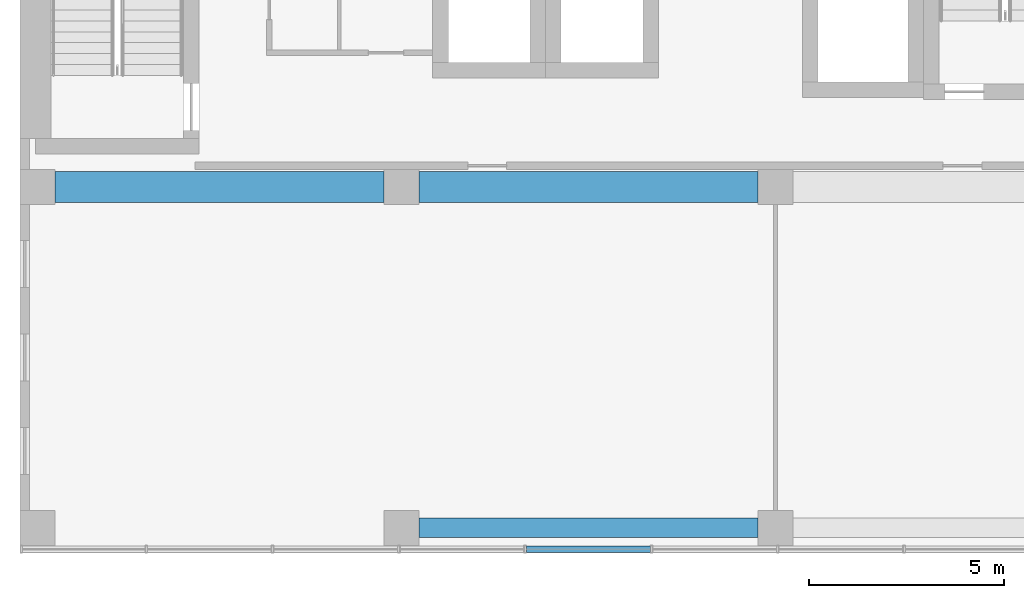
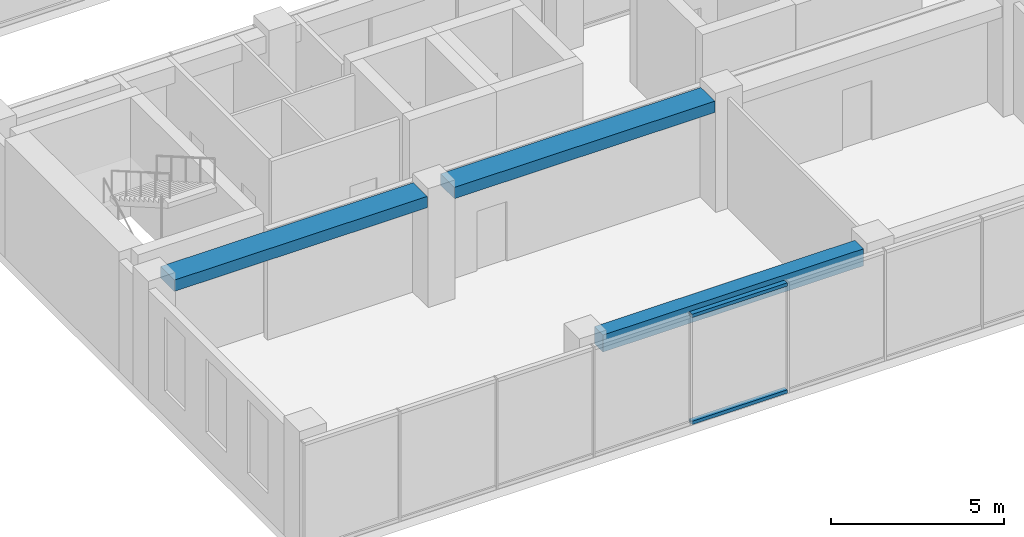
# One storey, part 3 of 38: 3 beams, 2 members, 1 element without a shape of its own.
"""IFC4 building model written with IfcOpenShell, lengths in metres."""

from ifc_helpers import new_model, si_unit, direction, frame, origin, origin_2d, place, context, subcontext, project, spatial, rectangle, hollow_rectangle, extrude, material, layer, layer_set, material_profile, profile_set, type_object, element, aggregate, save


model = new_model("IFC4")

# Units and contexts
model_context = context("Model", 3, precision=1e-05, world=origin(), true_north=direction((0.0, 1.0)))
body_context = subcontext(model_context, "Body", "Model", "MODEL_VIEW")
ifc_project = project(units=[si_unit("LENGTHUNIT", "METRE"), si_unit("AREAUNIT", "SQUARE_METRE"), si_unit("VOLUMEUNIT", "CUBIC_METRE"), si_unit("PLANEANGLEUNIT", "RADIAN"), si_unit("MASSUNIT", "GRAM", prefix="KILO")], contexts=[model_context])

# Site, building, storey
site_placement = place(None, origin())
site = spatial("IfcSite", under=ifc_project, at=site_placement, CompositionType="ELEMENT")
building_placement = place(site_placement, origin())
building = spatial("IfcBuilding", under=site, at=building_placement, Name="Nzadi Deep Aquarium and Research Tower", CompositionType="ELEMENT")
storey_placement = place(building_placement, frame((0.0, 0.0, 48.699951171875)))
storey = spatial("IfcBuildingStorey", under=building, at=storey_placement, Name="L09", CompositionType="ELEMENT", Elevation=48.699951171875)

# Beams
ifc_material_1 = material(Name="Concrete C35/45", Category="concrete")
ifc_material_profile_1 = material_profile(ifc_material_1, rectangle(XDim=0.5, YDim=0.60009765625, at=origin_2d()))
ifc_profile_set_1 = profile_set([ifc_material_profile_1], Name="Concrete C35/45")
beam_type_1 = type_object("IfcBeamType", Name="RC 500x600", PredefinedType="BEAM", material=ifc_profile_set_1)
beam_1_placement = place(storey_placement, frame((10.050048828125, 0.449951171875, 3.60009765625), z_axis=(1.0, 0.0, 0.0), x_axis=(0.0, 1.0, 0.0)))
element("IfcBeam", 1, at=beam_1_placement, inside=storey, type_object=beam_type_1, Name="B-Z1-L09-L1-2", PredefinedType="BEAM", context=body_context, shape_type="SweptSolid", body=[
    extrude(rectangle(XDim=0.5, YDim=0.60009765625, at=origin_2d()), origin(), (0.0, 0.0, 1.0), 8.699951171875),
])
ifc_material_2 = material(Name="Concrete C35/45", Category="concrete")
ifc_material_profile_2 = material_profile(ifc_material_2, rectangle(XDim=0.800048828125, YDim=0.39990234375, at=origin_2d()))
ifc_profile_set_2 = profile_set([ifc_material_profile_2], Name="Concrete C35/45")
beam_type_2 = type_object("IfcBeamType", Name="RC 800x400", PredefinedType="BEAM", material=ifc_profile_set_2)
beam_2_placement = place(storey_placement, frame((0.699951171875, 9.199951171875, 3.699951171875), z_axis=(1.0, 0.0, 0.0), x_axis=(0.0, 1.0, 0.0)))
element("IfcBeam", 2, at=beam_2_placement, inside=storey, type_object=beam_type_2, Name="B-Z1-L09-L2-1", PredefinedType="BEAM", context=body_context, shape_type="SweptSolid", body=[
    extrude(rectangle(XDim=0.800048828125, YDim=0.39990234375, at=origin_2d()), origin(), (0.0, 0.0, 1.0), 8.449951171875),
])
beam_3_placement = place(storey_placement, frame((10.050048828125, 9.199951171875, 3.699951171875), z_axis=(1.0, 0.0, 0.0), x_axis=(0.0, 1.0, 0.0)))
element("IfcBeam", 3, at=beam_3_placement, inside=storey, type_object=beam_type_2, Name="B-Z1-L09-L2-2", PredefinedType="BEAM", context=body_context, shape_type="SweptSolid", body=[
    extrude(rectangle(XDim=0.800048828125, YDim=0.39990234375, at=origin_2d()), origin(), (0.0, 0.0, 1.0), 8.699951171875),
])

# Curtain wall, members
ifc_material_3 = material(Name="Aluminium unitised frame", Category="aluminium")
ifc_layer = layer(ifc_material_3, 0.199951171875)
ifc_layer_set = layer_set([ifc_layer], Name="Aluminium unitised frame")
curtain_wall_type = type_object("IfcCurtainWallType", Name="Curtain wall Unitised 200", PredefinedType="NOTDEFINED", material=ifc_layer_set)
curtain_wall_placement = place(storey_placement, origin())
curtain_wall = element("IfcCurtainWall", 4, at=curtain_wall_placement, inside=storey, type_object=curtain_wall_type, Name="Unitised curtain wall blade A south L09", PredefinedType="NOTDEFINED")
ifc_material_4 = material(Name="Aluminium unitised frame", Category="aluminium")
ifc_material_profile_3 = material_profile(ifc_material_4, hollow_rectangle(XDim=0.159912109375, YDim=0.1201171875, WallThickness=0.0048828125, at=origin_2d()))
ifc_profile_set_3 = profile_set([ifc_material_profile_3], Name="Aluminium unitised frame")
member_type = type_object("IfcMemberType", Name="Transom 120x160 Unitised", PredefinedType="MULLION", material=ifc_profile_set_3)
member_1_placement = place(storey_placement, frame((12.80322265625, -0.10009765625, 0.06005859375), z_axis=(1.0, 0.0, 0.0), x_axis=(0.0, 1.0, 0.0)))
member_1 = element("IfcMember", 5, at=member_1_placement, type_object=member_type, Name="CW029 transom 5.1", PredefinedType="MULLION", context=body_context, shape_type="SweptSolid", body=[
    extrude(hollow_rectangle(XDim=0.159912109375, YDim=0.1201171875, WallThickness=0.0048828125, at=origin_2d()), origin(), (0.0, 0.0, 1.0), 3.183349609375),
])
member_2_placement = place(storey_placement, frame((12.80322265625, -0.10009765625, 3.840087890625), z_axis=(1.0, 0.0, 0.0), x_axis=(0.0, 1.0, 0.0)))
member_2 = element("IfcMember", 6, at=member_2_placement, type_object=member_type, Name="CW029 transom 5.2", PredefinedType="MULLION", context=body_context, shape_type="SweptSolid", body=[
    extrude(hollow_rectangle(XDim=0.159912109375, YDim=0.1201171875, WallThickness=0.0048828125, at=origin_2d()), origin(), (0.0, 0.0, 1.0), 3.183349609375),
])
aggregate(curtain_wall, [member_1, member_2])

save(model, "model.ifc")
